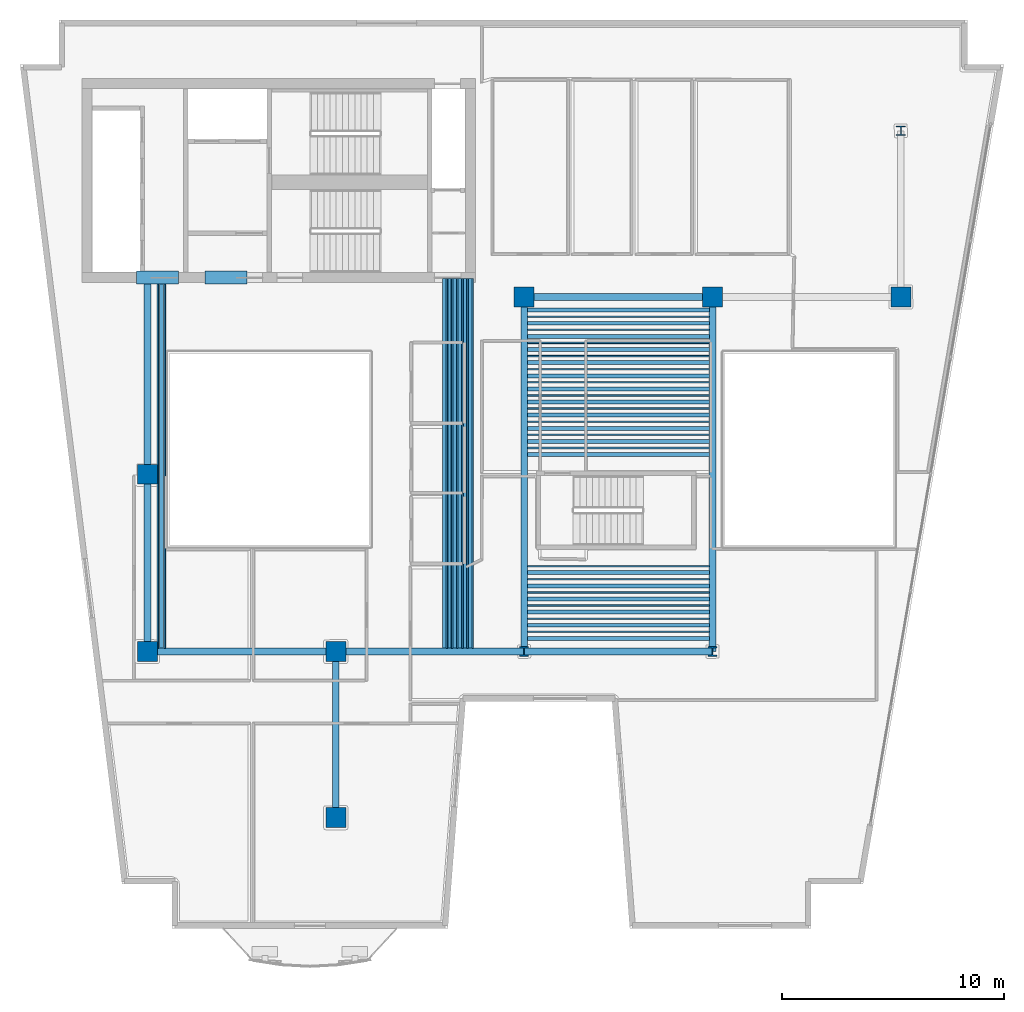
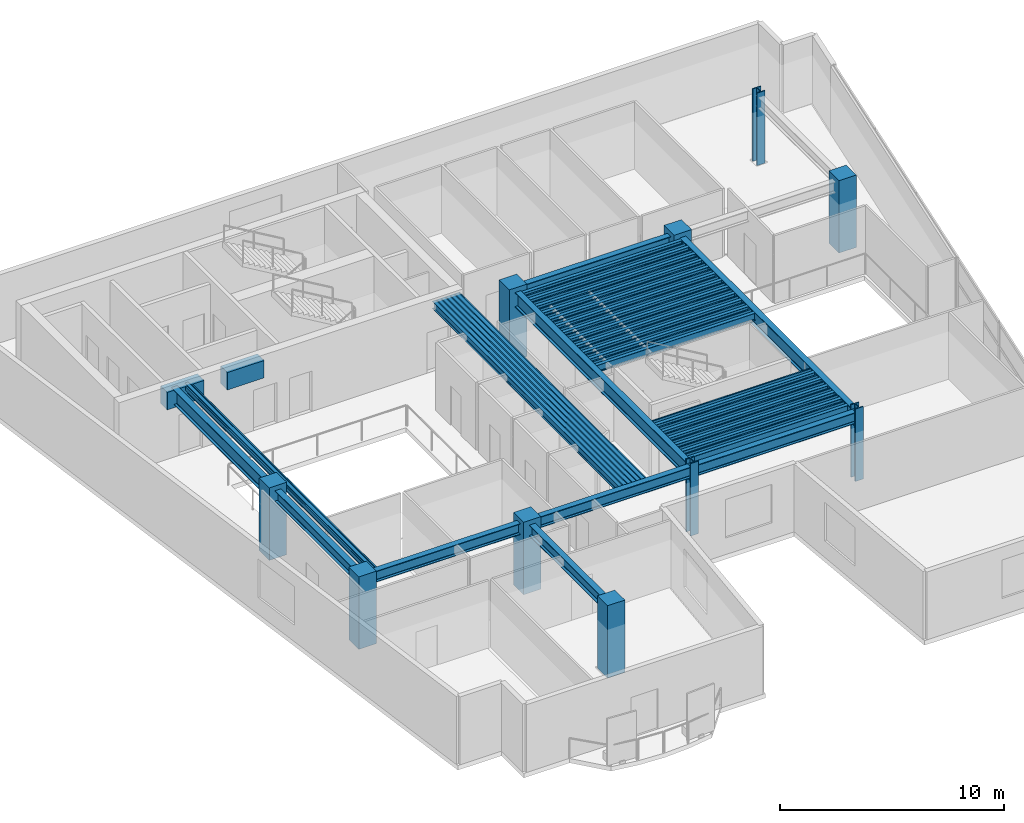
# One storey, part 1 of 9: 61 beams, 10 columns.
"""IFC4 building model written with IfcOpenShell, lengths in metres."""

import ifcopenshell
import ifcopenshell.guid

model = None  # the IFC model being written
_history = None  # IfcOwnerHistory: only IFC2X3 demands one
_inside = {}  # id of a spatial element -> (the spatial element, [elements in it])
_under = {}  # id of a project, library or spatial element -> (it, [spatial elements below it])
_declared = {}  # id of a project -> (the project, [libraries it declares])
_typed = {}  # id of a type object -> (the type object, [elements of that type])
_made_of = {}  # id of a material, layer set ... -> (it, [elements and type objects made of it])


def new_model(schema):
    """Start an empty IFC model of exactly this schema.

    Asked for "IFC4X3", IfcOpenShell would pick the latest addendum, in which some entities
    have other attributes; the version numbers below select the first issue.
    IFC2X3 requires an IfcOwnerHistory on every rooted entity: one is made here for all.
    """
    global model, _history
    if schema == "IFC4X3":
        model = ifcopenshell.file(schema_version=(4, 3, 0, 0))
    else:
        model = ifcopenshell.file(schema=schema)
    _inside.clear()
    _under.clear()
    _declared.clear()
    _typed.clear()
    _made_of.clear()
    _history = None
    if model.schema == "IFC2X3":
        org = make("IfcOrganization", Name="unknown")
        user = make(
            "IfcPersonAndOrganization",
            ThePerson=make("IfcPerson", FamilyName="unknown"),
            TheOrganization=org,
        )
        app = make(
            "IfcApplication",
            ApplicationDeveloper=org,
            Version="unknown",
            ApplicationFullName="unknown",
            ApplicationIdentifier="unknown",
        )
        _history = make(
            "IfcOwnerHistory",
            OwningUser=user,
            OwningApplication=app,
            ChangeAction="ADDED",
            CreationDate=0,
        )
    return model


def make(cls, **values):
    """One entity of the class cls with the attributes given. An attribute that is None is left unset."""
    return model.create_entity(
        cls, **{name: value for name, value in values.items() if value is not None}
    )


def rooted(cls, **values):
    """An entity with a GlobalId (a new one), such as an element, a storey or a relation."""
    return make(cls, GlobalId=ifcopenshell.guid.new(), OwnerHistory=_history, **values)


def si_unit(unit_type, name, prefix=None):
    """IfcSIUnit, for example si_unit("LENGTHUNIT", "METRE", prefix="MILLI")."""
    return make("IfcSIUnit", UnitType=unit_type, Prefix=prefix, Name=name)


def assignment(units):
    """IfcUnitAssignment: the units of a project."""
    return None if units is None else make("IfcUnitAssignment", Units=units)


def point(xyz):
    """IfcCartesianPoint."""
    return None if xyz is None else make("IfcCartesianPoint", Coordinates=xyz)


def direction(xyz):
    """IfcDirection."""
    return None if xyz is None else make("IfcDirection", DirectionRatios=xyz)


def frame(location, z_axis=None, x_axis=None):
    """IfcAxis2Placement3D, a coordinate frame: its origin and axes. An axis left out is left unset."""
    return make(
        "IfcAxis2Placement3D",
        Location=point(location),
        Axis=direction(z_axis),
        RefDirection=direction(x_axis),
    )


def frame_2d(location, x_axis=None):
    """IfcAxis2Placement2D, a coordinate frame in the plane: its origin and x axis."""
    return make(
        "IfcAxis2Placement2D", Location=point(location), RefDirection=direction(x_axis)
    )


def origin():
    """The frame at (0, 0, 0) with its axes left unset."""
    return frame((0.0, 0.0, 0.0))


def origin_2d():
    """The frame at (0, 0) in the plane with its x axis left unset."""
    return frame_2d((0.0, 0.0))


def place(relative_to, where):
    """IfcLocalPlacement: puts the frame where relative to a parent placement (None: the world)."""
    return make(
        "IfcLocalPlacement", PlacementRelTo=relative_to, RelativePlacement=where
    )


def context(
    kind, dimensions, precision=None, world=None, true_north=None, identifier=None
):
    """IfcGeometricRepresentationContext, for example the 3D "Model" context."""
    return make(
        "IfcGeometricRepresentationContext",
        ContextIdentifier=identifier,
        ContextType=kind,
        CoordinateSpaceDimension=dimensions,
        Precision=precision,
        WorldCoordinateSystem=world,
        TrueNorth=true_north,
    )


def subcontext(parent, identifier, kind, view, scale=None):
    """IfcGeometricRepresentationSubContext, for example "Body" below "Model"."""
    return make(
        "IfcGeometricRepresentationSubContext",
        ContextIdentifier=identifier,
        ContextType=kind,
        ParentContext=parent,
        TargetScale=scale,
        TargetView=view,
    )


def project(units=None, contexts=None):
    """IfcProject with its units and contexts."""
    return rooted(
        "IfcProject",
        Name="project",
        RepresentationContexts=contexts,
        UnitsInContext=assignment(units),
    )


def spatial(cls, under=None, at=None, **own):
    """A site, building, storey or space (cls), placed at a placement, below another one or the project."""
    s = rooted(cls, ObjectPlacement=at, **own)
    if under is not None:
        _under.setdefault(under.id(), (under, []))[1].append(s)
    return s


def profile(cls, at=None, kind="AREA", **sizes):
    """A parametric profile (cls). Its sizes go by their IFC names, for example OverallWidth=200.0."""
    return make(cls, ProfileType=kind, Position=at, **sizes)


def rectangle(**sizes):
    """IfcRectangleProfileDef."""
    return profile("IfcRectangleProfileDef", **sizes)


def hollow_rectangle(**sizes):
    """IfcRectangleHollowProfileDef."""
    return profile("IfcRectangleHollowProfileDef", **sizes)


def i_section(**sizes):
    """IfcIShapeProfileDef."""
    return profile("IfcIShapeProfileDef", **sizes)


def extrude(swept, where, along, depth):
    """IfcExtrudedAreaSolid: the profile swept, set in the frame where, extruded along a direction by depth."""
    return make(
        "IfcExtrudedAreaSolid",
        SweptArea=swept,
        Position=where,
        ExtrudedDirection=direction(along),
        Depth=depth,
    )


def shape(context_of_items, identifier, shape_type, items):
    """IfcShapeRepresentation: the items that make up one representation, for example the "Body"."""
    return make(
        "IfcShapeRepresentation",
        ContextOfItems=context_of_items,
        RepresentationIdentifier=identifier,
        RepresentationType=shape_type,
        Items=items,
    )


def material(Name=None, Category=None):
    """IfcMaterial."""
    return make("IfcMaterial", Name=Name, Category=Category)


def material_profile(
    of_material, cross_section, Name=None, Category=None, Priority=None
):
    """IfcMaterialProfile: a cross section and its material."""
    return make(
        "IfcMaterialProfile",
        Name=Name,
        Material=of_material,
        Profile=cross_section,
        Priority=Priority,
        Category=Category,
    )


def profile_set(profiles, Name=None, composite=None):
    """IfcMaterialProfileSet."""
    return make(
        "IfcMaterialProfileSet",
        Name=Name,
        MaterialProfiles=profiles,
        CompositeProfile=composite,
    )


def made_of(thing, what):
    """Note that an element or type object is made of a material, layer set ...; save() writes the relation."""
    if what is not None:
        _made_of.setdefault(what.id(), (what, []))[1].append(thing)
    return thing


def type_object(cls, material=None, **own):
    """A type object (cls), such as IfcWallType, which elements share."""
    return made_of(rooted(cls, **own), material)


def element(
    cls,
    number,
    at=None,
    inside=None,
    cuts=None,
    type_object=None,
    material=None,
    context=None,
    identifier="Body",
    shape_type=None,
    held_by="IfcProductDefinitionShape",
    body=None,
    shapes=None,
    **own,
):
    """One element of the class cls, such as IfcWall. Its Tag is "e" and its number.

    at: its placement. inside: the storey or other place that contains it. cuts: it is an
    opening in that element (IfcRelVoidsElement). A single representation is given by context,
    identifier, shape_type and body (its items); several are given by shapes. held_by: the class
    of the entity that holds the representations. save() writes the other relations.
    """
    e = rooted(cls, Tag="e%d" % number, ObjectPlacement=at, **own)
    if body is not None:
        shapes = [shape(context, identifier, shape_type, body)]
    if shapes is not None:
        e.Representation = make(held_by, Representations=shapes)
    if inside is not None:
        _inside.setdefault(inside.id(), (inside, []))[1].append(e)
    if cuts is not None:
        rooted(
            "IfcRelVoidsElement", RelatingBuildingElement=cuts, RelatedOpeningElement=e
        )
    if type_object is not None:
        _typed.setdefault(type_object.id(), (type_object, []))[1].append(e)
    return made_of(e, material)


def aggregate(whole, parts):
    """IfcRelAggregates: a whole, such as a stair, and the parts it consists of."""
    return rooted("IfcRelAggregates", RelatingObject=whole, RelatedObjects=parts)


def save(model, path):
    """Write the relations noted so far, then the file.

    IfcRelAggregates (storeys below a building ...), IfcRelContainedInSpatialStructure (elements
    in a storey), IfcRelDefinesByType, IfcRelAssociatesMaterial and IfcRelDeclares: one each for
    every whole, place, type object, material and project.
    """
    for whole, parts in _under.values():
        aggregate(whole, parts)
    for where, things in _inside.values():
        rooted(
            "IfcRelContainedInSpatialStructure",
            RelatedElements=things,
            RelatingStructure=where,
        )
    for kind, things in _typed.values():
        rooted("IfcRelDefinesByType", RelatedObjects=things, RelatingType=kind)
    for what, things in _made_of.values():
        rooted("IfcRelAssociatesMaterial", RelatedObjects=things, RelatingMaterial=what)
    for by, libraries in _declared.values():
        rooted("IfcRelDeclares", RelatingContext=by, RelatedDefinitions=libraries)
    model.write(path)


model = new_model("IFC4")

# Units and contexts
model_context = context("Model", 3, precision=1e-05, world=origin(), true_north=direction((0.0, 1.0)))
body_context = subcontext(model_context, "Body", "Model", "MODEL_VIEW")
ifc_project = project(units=[si_unit("LENGTHUNIT", "METRE"), si_unit("AREAUNIT", "SQUARE_METRE"), si_unit("VOLUMEUNIT", "CUBIC_METRE"), si_unit("PLANEANGLEUNIT", "RADIAN"), si_unit("MASSUNIT", "GRAM", prefix="KILO")], contexts=[model_context])

# Site, building, storey
site_placement = place(None, origin())
site = spatial("IfcSite", under=ifc_project, at=site_placement, CompositionType="ELEMENT")
building_placement = place(site_placement, origin())
building = spatial("IfcBuilding", under=site, at=building_placement, Name="Caeloran Harvest Quay", CompositionType="ELEMENT")
storey_placement = place(building_placement, frame((0.0, 0.0, 199.550048828125)))
storey = spatial("IfcBuildingStorey", under=building, at=storey_placement, Name="L47", CompositionType="ELEMENT", Elevation=199.550048828125)

# Columns
ifc_material_1 = material(Name="Concrete C60/75", Category="concrete")
ifc_material_profile_1 = material_profile(ifc_material_1, rectangle(XDim=0.89990234375, YDim=0.89990234375, at=origin_2d()), Name="RC 900x900")
ifc_profile_set_1 = profile_set([ifc_material_profile_1], Name="Concrete C60/75")
column_type_1 = type_object("IfcColumnType", Name="COL-MC-4-RC_900x900", PredefinedType="COLUMN", material=ifc_profile_set_1)
for number, where, z_axis, x_axis, name in (
    (1, (8.5, 15.0, 0.0), (0.0, 0.0, 1.0), (1.0, 0.0, 0.0), "L47 Structural Column (8.5, 15.0)"),
    (2, (8.5, 23.0, 0.0), (0.0, 0.0, 1.0), (1.0, 0.0, 0.0), "L47 Structural Column (8.5, 23.0)"),
    (3, (17.0, 7.5, 0.0), (0.0, 0.0, 1.0), (1.0, 0.0, 0.0), "L47 Structural Column (17.0, 7.5)"),
    (4, (17.0, 15.0, 0.0), (0.0, 0.0, 1.0), (1.0, 0.0, 0.0), "L47 Structural Column (17.0, 15.0)"),
    (5, (25.5, 31.0, 0.0), (0.0, 0.0, 1.0), (1.0, 0.0, 0.0), "L47 Structural Column (25.5, 31.0)"),
    (6, (34.0, 31.0, 0.0), (0.0, 0.0, 1.0), (1.0, 0.0, 0.0), "L47 Structural Column (34.0, 31.0)"),
    (7, (42.5, 31.0, 0.0), (0.0, 0.0, 1.0), (1.0, 0.0, 0.0), "L47 Structural Column (42.5, 31.0)"),
):
    element("IfcColumn", number, at=place(storey_placement, frame(where, z_axis=z_axis, x_axis=x_axis)), inside=storey, type_object=column_type_1, Name=name, PredefinedType="COLUMN", context=body_context, shape_type="SweptSolid", body=[
        extrude(rectangle(XDim=0.89990234375, YDim=0.89990234375, at=origin_2d()), origin(), (0.0, 0.0, 1.0), 3.949951171875),
    ])
ifc_material_2 = material(Name="Steel HISTAR 460", Category="steel")
ifc_material_profile_2 = material_profile(ifc_material_2, i_section(OverallWidth=0.416015625, OverallDepth=0.446044921875, WebThickness=0.0390625, FlangeThickness=0.062744140625, FilletRadius=0.014892578125, at=origin_2d()), Name="HD 400x509")
ifc_profile_set_2 = profile_set([ifc_material_profile_2], Name="Steel HISTAR 460")
column_type_2 = type_object("IfcColumnType", Name="COL-SC-4-HD_400x509", PredefinedType="COLUMN", material=ifc_profile_set_2)
for number, where, z_axis, x_axis, name in (
    (8, (25.5, 15.0, 0.0), (0.0, 0.0, 1.0), (1.0, 0.0, 0.0), "L47 Structural Column (25.5, 15.0)"),
    (9, (34.0, 15.0, 0.0), (0.0, 0.0, 1.0), (1.0, 0.0, 0.0), "L47 Structural Column (34.0, 15.0)"),
    (10, (42.5, 38.5, 0.0), (0.0, 0.0, 1.0), (1.0, 0.0, 0.0), "L47 Structural Column (42.5, 38.5)"),
):
    element("IfcColumn", number, at=place(storey_placement, frame(where, z_axis=z_axis, x_axis=x_axis)), inside=storey, type_object=column_type_2, Name=name, PredefinedType="COLUMN", context=body_context, shape_type="SweptSolid", body=[
        extrude(i_section(OverallWidth=0.416015625, OverallDepth=0.446044921875, WebThickness=0.0390625, FlangeThickness=0.062744140625, FilletRadius=0.014892578125, at=origin_2d()), origin(), (0.0, 0.0, 1.0), 3.949951171875),
    ])

# Beams
ifc_material_profile_3 = material_profile(ifc_material_1, rectangle(XDim=0.60009765625, YDim=0.949951171875, at=origin_2d()), Name="RC 600x950")
ifc_profile_set_3 = profile_set([ifc_material_profile_3], Name="Concrete C60/75")
beam_type_1 = type_object("IfcBeamType", Name="BM-CB-2-RC_600x950", PredefinedType="LINTEL", material=ifc_profile_set_3)
for number, where, z_axis, x_axis, name in (
    (11, (8.0, 31.875, 3.224853515625), (1.0, 0.0, 0.0), (0.0, 1.0, 0.0), "L47 Core Coupling Beam 1"),
    (12, (11.10009765625, 31.875, 3.224853515625), (1.0, 0.0, 0.0), (0.0, 1.0, 0.0), "L47 Core Coupling Beam 2"),
):
    element("IfcBeam", number, at=place(storey_placement, frame(where, z_axis=z_axis, x_axis=x_axis)), inside=storey, type_object=beam_type_1, Name=name, PredefinedType="LINTEL", context=body_context, shape_type="SweptSolid", body=[
        extrude(rectangle(XDim=0.60009765625, YDim=0.949951171875, at=origin_2d()), origin(), (0.0, 0.0, 1.0), 1.89990234375),
    ])
ifc_material_3 = material(Name="Steel S355J2", Category="steel")
ifc_material_profile_4 = material_profile(ifc_material_3, i_section(OverallWidth=0.300048828125, OverallDepth=0.800048828125, WebThickness=0.017578125, FlangeThickness=0.032958984375, FilletRadius=0.030029296875, at=origin_2d()), Name="HE 800 B")
ifc_profile_set_4 = profile_set([ifc_material_profile_4], Name="Steel S355J2")
beam_type_2 = type_object("IfcBeamType", Name="BM-PG-1-HE_800_B", PredefinedType="BEAM", material=ifc_profile_set_4)
beam_1_placement = place(storey_placement, frame((8.5, 23.0, 3.300048828125), z_axis=(0.0, 1.0, 0.0), x_axis=(-1.0, 0.0, 0.0)))
element("IfcBeam", 13, at=beam_1_placement, inside=storey, type_object=beam_type_2, Name="L47 Core South Tie Girder X=8.5", PredefinedType="BEAM", context=body_context, shape_type="SweptSolid", body=[
    extrude(i_section(OverallWidth=0.300048828125, OverallDepth=0.800048828125, WebThickness=0.017578125, FlangeThickness=0.032958984375, FilletRadius=0.030029296875, at=origin_2d()), origin(), (0.0, 0.0, 1.0), 8.824951171875),
])
for number, where, z_axis, x_axis, name in (
    (14, (25.5, 15.0, 3.300048828125), (0.0, 1.0, 0.0), (-1.0, 0.0, 0.0), "L47 Primary North-South Girder X=25.5"),
    (15, (34.0, 15.0, 3.300048828125), (0.0, 1.0, 0.0), (-1.0, 0.0, 0.0), "L47 Primary North-South Girder X=34.0"),
):
    element("IfcBeam", number, at=place(storey_placement, frame(where, z_axis=z_axis, x_axis=x_axis)), inside=storey, type_object=beam_type_2, Name=name, PredefinedType="BEAM", context=body_context, shape_type="SweptSolid", body=[
        extrude(i_section(OverallWidth=0.300048828125, OverallDepth=0.800048828125, WebThickness=0.017578125, FlangeThickness=0.032958984375, FilletRadius=0.030029296875, at=origin_2d()), origin(), (0.0, 0.0, 1.0), 16.0),
    ])
ifc_material_profile_5 = material_profile(ifc_material_3, i_section(OverallWidth=0.300048828125, OverallDepth=0.60009765625, WebThickness=0.015380859375, FlangeThickness=0.030029296875, FilletRadius=0.027099609375, at=origin_2d()), Name="HE 600 B")
ifc_profile_set_5 = profile_set([ifc_material_profile_5], Name="Steel S355J2")
beam_type_3 = type_object("IfcBeamType", Name="BM-PG-3-HE_600_B", PredefinedType="BEAM", material=ifc_profile_set_5)
for number, where, z_axis, x_axis, name in (
    (16, (8.5, 15.0, 3.39990234375), (1.0, 0.0, 0.0), (0.0, 1.0, 0.0), "L47 Primary East-West Girder Y=15.0"),
    (17, (17.0, 15.0, 3.39990234375), (1.0, 0.0, 0.0), (0.0, 1.0, 0.0), "L47 Primary East-West Girder Y=15.0"),
    (18, (25.5, 15.0, 3.39990234375), (1.0, 0.0, 0.0), (0.0, 1.0, 0.0), "L47 Primary East-West Girder Y=15.0"),
    (19, (25.5, 31.0, 3.39990234375), (1.0, 0.0, 0.0), (0.0, 1.0, 0.0), "L47 Primary East-West Girder Y=31.0"),
):
    element("IfcBeam", number, at=place(storey_placement, frame(where, z_axis=z_axis, x_axis=x_axis)), inside=storey, type_object=beam_type_3, Name=name, PredefinedType="BEAM", context=body_context, shape_type="SweptSolid", body=[
        extrude(i_section(OverallWidth=0.300048828125, OverallDepth=0.60009765625, WebThickness=0.015380859375, FlangeThickness=0.030029296875, FilletRadius=0.027099609375, at=origin_2d()), origin(), (0.0, 0.0, 1.0), 8.5),
    ])
beam_2_placement = place(storey_placement, frame((8.5, 15.0, 3.39990234375), z_axis=(0.0, 1.0, 0.0), x_axis=(-1.0, 0.0, 0.0)))
element("IfcBeam", 20, at=beam_2_placement, inside=storey, type_object=beam_type_3, Name="L47 Primary North-South Girder X=8.5", PredefinedType="BEAM", context=body_context, shape_type="SweptSolid", body=[
    extrude(i_section(OverallWidth=0.300048828125, OverallDepth=0.60009765625, WebThickness=0.015380859375, FlangeThickness=0.030029296875, FilletRadius=0.027099609375, at=origin_2d()), origin(), (0.0, 0.0, 1.0), 8.0),
])
beam_3_placement = place(storey_placement, frame((17.0, 7.5, 3.39990234375), z_axis=(0.0, 1.0, 0.0), x_axis=(-1.0, 0.0, 0.0)))
element("IfcBeam", 21, at=beam_3_placement, inside=storey, type_object=beam_type_3, Name="L47 Primary North-South Girder X=17.0", PredefinedType="BEAM", context=body_context, shape_type="SweptSolid", body=[
    extrude(i_section(OverallWidth=0.300048828125, OverallDepth=0.60009765625, WebThickness=0.015380859375, FlangeThickness=0.030029296875, FilletRadius=0.027099609375, at=origin_2d()), origin(), (0.0, 0.0, 1.0), 7.5),
])
ifc_material_profile_6 = material_profile(ifc_material_3, i_section(OverallWidth=0.179931640625, OverallDepth=0.39990234375, WebThickness=0.008544921875, FlangeThickness=0.013427734375, FilletRadius=0.02099609375, at=origin_2d()), Name="IPE 400")
ifc_profile_set_6 = profile_set([ifc_material_profile_6], Name="Steel S355J2")
beam_type_4 = type_object("IfcBeamType", Name="BM-SB-4-IPE_400", PredefinedType="JOIST", material=ifc_profile_set_6)
for number, where, z_axis, x_axis, name in (
    (22, (9.129638671875, 15.14501953125, 3.5), (0.0, 1.0, 0.0), (-1.0, 0.0, 0.0), "L47 Secondary Composite Joist"),
    (23, (21.89990234375, 15.14501953125, 3.5), (0.0, 1.0, 0.0), (-1.0, 0.0, 0.0), "L47 Secondary Composite Joist"),
    (24, (22.13330078125, 15.14501953125, 3.5), (0.0, 1.0, 0.0), (-1.0, 0.0, 0.0), "L47 Secondary Composite Joist"),
    (25, (22.36669921875, 15.14501953125, 3.5), (0.0, 1.0, 0.0), (-1.0, 0.0, 0.0), "L47 Secondary Composite Joist"),
    (26, (22.60009765625, 15.14501953125, 3.5), (0.0, 1.0, 0.0), (-1.0, 0.0, 0.0), "L47 Secondary Composite Joist"),
    (27, (22.833251953125, 15.14501953125, 3.5), (0.0, 1.0, 0.0), (-1.0, 0.0, 0.0), "L47 Secondary Composite Joist"),
    (28, (23.066650390625, 15.14501953125, 3.5), (0.0, 1.0, 0.0), (-1.0, 0.0, 0.0), "L47 Secondary Composite Joist"),
):
    element("IfcBeam", number, at=place(storey_placement, frame(where, z_axis=z_axis, x_axis=x_axis)), inside=storey, type_object=beam_type_4, Name=name, PredefinedType="JOIST", context=body_context, shape_type="SweptSolid", body=[
        extrude(i_section(OverallWidth=0.179931640625, OverallDepth=0.39990234375, WebThickness=0.008544921875, FlangeThickness=0.013427734375, FilletRadius=0.02099609375, at=origin_2d()), origin(), (0.0, 0.0, 1.0), 16.679931640625),
    ])
for number, where, z_axis, x_axis, name in (
    (29, (25.64501953125, 15.592529296875, 3.5), (1.0, 0.0, 0.0), (0.0, 1.0, 0.0), "L47 Secondary East-West Composite Joist"),
    (30, (25.64501953125, 16.185302734375, 3.5), (1.0, 0.0, 0.0), (0.0, 1.0, 0.0), "L47 Secondary East-West Composite Joist"),
    (31, (25.64501953125, 16.77783203125, 3.5), (1.0, 0.0, 0.0), (0.0, 1.0, 0.0), "L47 Secondary East-West Composite Joist"),
    (32, (25.64501953125, 17.370361328125, 3.5), (1.0, 0.0, 0.0), (0.0, 1.0, 0.0), "L47 Secondary East-West Composite Joist"),
    (33, (25.64501953125, 17.962890625, 3.5), (1.0, 0.0, 0.0), (0.0, 1.0, 0.0), "L47 Secondary East-West Composite Joist"),
    (34, (25.64501953125, 18.5556640625, 3.5), (1.0, 0.0, 0.0), (0.0, 1.0, 0.0), "L47 Secondary East-West Composite Joist"),
    (35, (25.64501953125, 23.888916015625, 3.5), (1.0, 0.0, 0.0), (0.0, 1.0, 0.0), "L47 Secondary East-West Composite Joist"),
    (36, (25.64501953125, 24.4814453125, 3.5), (1.0, 0.0, 0.0), (0.0, 1.0, 0.0), "L47 Secondary East-West Composite Joist"),
    (37, (25.64501953125, 25.07421875, 3.5), (1.0, 0.0, 0.0), (0.0, 1.0, 0.0), "L47 Secondary East-West Composite Joist"),
    (38, (25.64501953125, 25.666748046875, 3.5), (1.0, 0.0, 0.0), (0.0, 1.0, 0.0), "L47 Secondary East-West Composite Joist"),
    (39, (25.64501953125, 26.25927734375, 3.5), (1.0, 0.0, 0.0), (0.0, 1.0, 0.0), "L47 Secondary East-West Composite Joist"),
    (40, (25.64501953125, 26.851806640625, 3.5), (1.0, 0.0, 0.0), (0.0, 1.0, 0.0), "L47 Secondary East-West Composite Joist"),
    (41, (25.64501953125, 27.4443359375, 3.5), (1.0, 0.0, 0.0), (0.0, 1.0, 0.0), "L47 Secondary East-West Composite Joist"),
    (42, (25.64501953125, 28.037109375, 3.5), (1.0, 0.0, 0.0), (0.0, 1.0, 0.0), "L47 Secondary East-West Composite Joist"),
    (43, (25.64501953125, 28.629638671875, 3.5), (1.0, 0.0, 0.0), (0.0, 1.0, 0.0), "L47 Secondary East-West Composite Joist"),
    (44, (25.64501953125, 29.22216796875, 3.5), (1.0, 0.0, 0.0), (0.0, 1.0, 0.0), "L47 Secondary East-West Composite Joist"),
    (45, (25.64501953125, 29.814697265625, 3.5), (1.0, 0.0, 0.0), (0.0, 1.0, 0.0), "L47 Secondary East-West Composite Joist"),
    (46, (25.64501953125, 30.407470703125, 3.5), (1.0, 0.0, 0.0), (0.0, 1.0, 0.0), "L47 Secondary East-West Composite Joist"),
):
    element("IfcBeam", number, at=place(storey_placement, frame(where, z_axis=z_axis, x_axis=x_axis)), inside=storey, type_object=beam_type_4, Name=name, PredefinedType="JOIST", context=body_context, shape_type="SweptSolid", body=[
        extrude(i_section(OverallWidth=0.179931640625, OverallDepth=0.39990234375, WebThickness=0.008544921875, FlangeThickness=0.013427734375, FilletRadius=0.02099609375, at=origin_2d()), origin(), (0.0, 0.0, 1.0), 8.2099609375),
    ])
ifc_material_profile_7 = material_profile(ifc_material_3, hollow_rectangle(XDim=0.080078125, YDim=0.199951171875, WallThickness=0.006103515625, InnerFilletRadius=0.006103515625, OuterFilletRadius=0.009033203125, at=origin_2d()), Name="RHS 200x80x6")
ifc_profile_set_7 = profile_set([ifc_material_profile_7], Name="Steel S355J2")
beam_type_5 = type_object("IfcBeamType", Name="BM-SB-7-RHS_200x80x6", PredefinedType="JOIST", material=ifc_profile_set_7)
for number, where, z_axis, x_axis, name in (
    (47, (8.97216796875, 15.14501953125, 3.599853515625), (0.0, 1.0, 0.0), (-1.0, 0.0, 0.0), "L47 Secondary Composite Joist"),
    (48, (9.287109375, 15.14501953125, 3.599853515625), (0.0, 1.0, 0.0), (-1.0, 0.0, 0.0), "L47 Secondary Composite Joist"),
    (49, (22.0166015625, 15.14501953125, 3.599853515625), (0.0, 1.0, 0.0), (-1.0, 0.0, 0.0), "L47 Secondary Composite Joist"),
    (50, (22.25, 15.14501953125, 3.599853515625), (0.0, 1.0, 0.0), (-1.0, 0.0, 0.0), "L47 Secondary Composite Joist"),
    (51, (22.4833984375, 15.14501953125, 3.599853515625), (0.0, 1.0, 0.0), (-1.0, 0.0, 0.0), "L47 Secondary Composite Joist"),
    (52, (22.716796875, 15.14501953125, 3.599853515625), (0.0, 1.0, 0.0), (-1.0, 0.0, 0.0), "L47 Secondary Composite Joist"),
    (53, (22.949951171875, 15.14501953125, 3.599853515625), (0.0, 1.0, 0.0), (-1.0, 0.0, 0.0), "L47 Secondary Composite Joist"),
    (54, (23.183349609375, 15.14501953125, 3.599853515625), (0.0, 1.0, 0.0), (-1.0, 0.0, 0.0), "L47 Secondary Composite Joist"),
):
    element("IfcBeam", number, at=place(storey_placement, frame(where, z_axis=z_axis, x_axis=x_axis)), inside=storey, type_object=beam_type_5, Name=name, PredefinedType="JOIST", context=body_context, shape_type="SweptSolid", body=[
        extrude(hollow_rectangle(XDim=0.080078125, YDim=0.199951171875, WallThickness=0.006103515625, InnerFilletRadius=0.006103515625, OuterFilletRadius=0.009033203125, at=origin_2d()), origin(), (0.0, 0.0, 1.0), 16.679931640625),
    ])
for number, where, z_axis, x_axis, name in (
    (55, (25.64501953125, 15.888916015625, 3.599853515625), (1.0, 0.0, 0.0), (0.0, 1.0, 0.0), "L47 Secondary East-West Composite Joist"),
    (56, (25.64501953125, 16.4814453125, 3.599853515625), (1.0, 0.0, 0.0), (0.0, 1.0, 0.0), "L47 Secondary East-West Composite Joist"),
    (57, (25.64501953125, 17.07421875, 3.599853515625), (1.0, 0.0, 0.0), (0.0, 1.0, 0.0), "L47 Secondary East-West Composite Joist"),
    (58, (25.64501953125, 17.666748046875, 3.599853515625), (1.0, 0.0, 0.0), (0.0, 1.0, 0.0), "L47 Secondary East-West Composite Joist"),
    (59, (25.64501953125, 18.25927734375, 3.599853515625), (1.0, 0.0, 0.0), (0.0, 1.0, 0.0), "L47 Secondary East-West Composite Joist"),
    (60, (25.64501953125, 18.851806640625, 3.599853515625), (1.0, 0.0, 0.0), (0.0, 1.0, 0.0), "L47 Secondary East-West Composite Joist"),
    (61, (25.64501953125, 24.185302734375, 3.599853515625), (1.0, 0.0, 0.0), (0.0, 1.0, 0.0), "L47 Secondary East-West Composite Joist"),
    (62, (25.64501953125, 24.77783203125, 3.599853515625), (1.0, 0.0, 0.0), (0.0, 1.0, 0.0), "L47 Secondary East-West Composite Joist"),
    (63, (25.64501953125, 25.370361328125, 3.599853515625), (1.0, 0.0, 0.0), (0.0, 1.0, 0.0), "L47 Secondary East-West Composite Joist"),
    (64, (25.64501953125, 25.962890625, 3.599853515625), (1.0, 0.0, 0.0), (0.0, 1.0, 0.0), "L47 Secondary East-West Composite Joist"),
    (65, (25.64501953125, 26.5556640625, 3.599853515625), (1.0, 0.0, 0.0), (0.0, 1.0, 0.0), "L47 Secondary East-West Composite Joist"),
    (66, (25.64501953125, 27.148193359375, 3.599853515625), (1.0, 0.0, 0.0), (0.0, 1.0, 0.0), "L47 Secondary East-West Composite Joist"),
    (67, (25.64501953125, 27.74072265625, 3.599853515625), (1.0, 0.0, 0.0), (0.0, 1.0, 0.0), "L47 Secondary East-West Composite Joist"),
    (68, (25.64501953125, 28.333251953125, 3.599853515625), (1.0, 0.0, 0.0), (0.0, 1.0, 0.0), "L47 Secondary East-West Composite Joist"),
    (69, (25.64501953125, 28.92578125, 3.599853515625), (1.0, 0.0, 0.0), (0.0, 1.0, 0.0), "L47 Secondary East-West Composite Joist"),
    (70, (25.64501953125, 29.5185546875, 3.599853515625), (1.0, 0.0, 0.0), (0.0, 1.0, 0.0), "L47 Secondary East-West Composite Joist"),
    (71, (25.64501953125, 30.111083984375, 3.599853515625), (1.0, 0.0, 0.0), (0.0, 1.0, 0.0), "L47 Secondary East-West Composite Joist"),
):
    element("IfcBeam", number, at=place(storey_placement, frame(where, z_axis=z_axis, x_axis=x_axis)), inside=storey, type_object=beam_type_5, Name=name, PredefinedType="JOIST", context=body_context, shape_type="SweptSolid", body=[
        extrude(hollow_rectangle(XDim=0.080078125, YDim=0.199951171875, WallThickness=0.006103515625, InnerFilletRadius=0.006103515625, OuterFilletRadius=0.009033203125, at=origin_2d()), origin(), (0.0, 0.0, 1.0), 8.2099609375),
    ])

save(model, "model.ifc")
